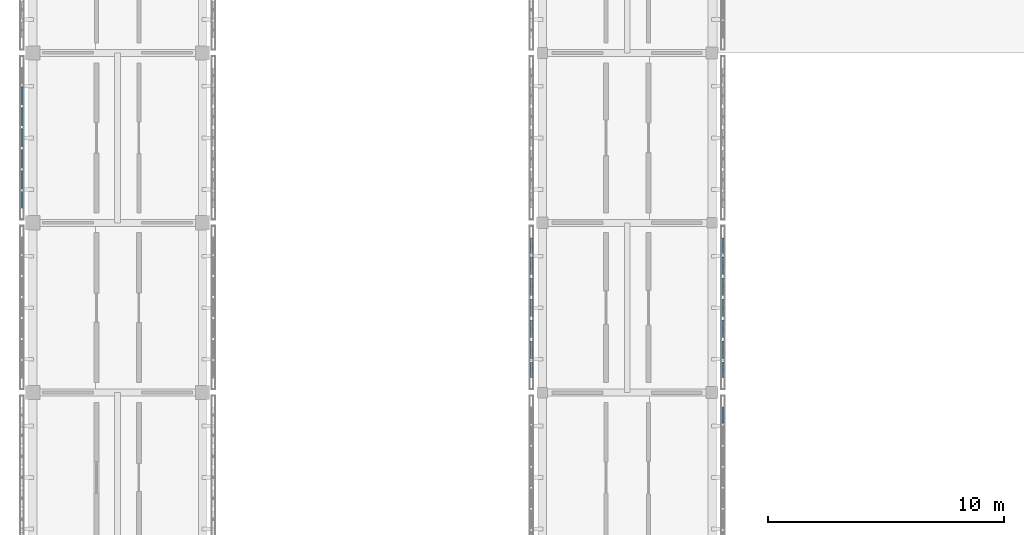
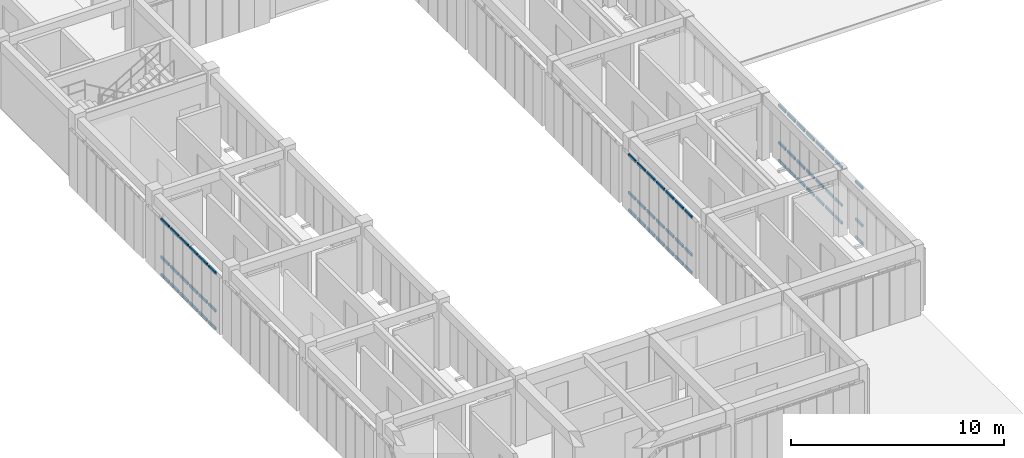
# One storey, part 20 of 67: 63 members, 4 elements without a shape of their own.
"""IFC4 building model written with IfcOpenShell, lengths in metres."""

from ifc_helpers import new_model, si_unit, direction, frame, origin, origin_2d, place, context, subcontext, project, spatial, hollow_rectangle, extrude, material, material_profile, profile_set, type_object, element, aggregate, save


model = new_model("IFC4")

# Units and contexts
model_context = context("Model", 3, precision=1e-05, world=origin(), true_north=direction((0.0, 1.0)))
body_context = subcontext(model_context, "Body", "Model", "MODEL_VIEW")
ifc_project = project(units=[si_unit("LENGTHUNIT", "METRE"), si_unit("AREAUNIT", "SQUARE_METRE"), si_unit("VOLUMEUNIT", "CUBIC_METRE"), si_unit("PLANEANGLEUNIT", "RADIAN"), si_unit("MASSUNIT", "GRAM", prefix="KILO")], contexts=[model_context])

# Site, building, storey
site_placement = place(None, origin())
site = spatial("IfcSite", under=ifc_project, at=site_placement, CompositionType="ELEMENT")
building_placement = place(site_placement, origin())
building = spatial("IfcBuilding", under=site, at=building_placement, Name="Aldebral Square Health Centre", CompositionType="ELEMENT")
storey_placement = place(building_placement, frame((0.0, 0.0, 13.5)))
storey = spatial("IfcBuildingStorey", under=building, at=storey_placement, Name="L03", CompositionType="ELEMENT", Elevation=13.5)

# Curtain wall, members
ifc_material_1 = material(Name="Aluminium and low-E solar glass", Category="aluminium")
curtain_wall_type = type_object("IfcCurtainWallType", Name="CW-FIN-SYS", PredefinedType="USERDEFINED", material=ifc_material_1)
curtain_wall_1_placement = place(storey_placement, origin())
curtain_wall_1 = element("IfcCurtainWall", 1, at=curtain_wall_1_placement, inside=storey, type_object=curtain_wall_type, Name="L03 V4 finned curtain wall L03-V4-00-11-W", ObjectType="SOLAR_CURTAIN_WALL", PredefinedType="USERDEFINED")
ifc_material_2 = material(Name="Anodised aluminium transom", Category="aluminium")
ifc_material_profile = material_profile(ifc_material_2, hollow_rectangle(XDim=0.074951171875, YDim=0.14990234375, WallThickness=0.00390625, at=origin_2d()), Name="CWT 75x150x4")
ifc_profile_set = profile_set([ifc_material_profile], Name="Anodised aluminium transom")
member_type = type_object("IfcMemberType", Name="CWT-STD", PredefinedType="USERDEFINED", material=ifc_profile_set)
member_1_placement = place(storey_placement, frame((-0.4599609375, 84.948486328125, 0.03759765625), z_axis=(0.0, -1.0, 0.0), x_axis=(1.0, 0.0, 0.0)))
member_1 = element("IfcMember", 2, at=member_1_placement, type_object=member_type, Name="CW1 transom 2.1", ObjectType="TRANSOM", PredefinedType="USERDEFINED", context=body_context, shape_type="SweptSolid", body=[
    extrude(hollow_rectangle(XDim=0.074951171875, YDim=0.14990234375, WallThickness=0.00390625, at=origin_2d()), origin(), (0.0, 0.0, 1.0), 0.7314453125),
])
member_2_placement = place(storey_placement, frame((-0.4599609375, 84.948486328125, 1.050048828125), z_axis=(0.0, -1.0, 0.0), x_axis=(1.0, 0.0, 0.0)))
member_2 = element("IfcMember", 3, at=member_2_placement, type_object=member_type, Name="CW1 transom 2.2", ObjectType="TRANSOM", PredefinedType="USERDEFINED", context=body_context, shape_type="SweptSolid", body=[
    extrude(hollow_rectangle(XDim=0.074951171875, YDim=0.14990234375, WallThickness=0.00390625, at=origin_2d()), origin(), (0.0, 0.0, 1.0), 0.7314453125),
])
member_3_placement = place(storey_placement, frame((-0.4599609375, 84.948486328125, 3.202392578125), z_axis=(0.0, -1.0, 0.0), x_axis=(1.0, 0.0, 0.0)))
member_3 = element("IfcMember", 4, at=member_3_placement, type_object=member_type, Name="CW1 transom 2.3", ObjectType="TRANSOM", PredefinedType="USERDEFINED", context=body_context, shape_type="SweptSolid", body=[
    extrude(hollow_rectangle(XDim=0.074951171875, YDim=0.14990234375, WallThickness=0.00390625, at=origin_2d()), origin(), (0.0, 0.0, 1.0), 0.7314453125),
])
member_4_placement = place(storey_placement, frame((-0.4599609375, 84.05712890625, 0.03759765625), z_axis=(0.0, -1.0, 0.0), x_axis=(1.0, 0.0, 0.0)))
member_4 = element("IfcMember", 5, at=member_4_placement, type_object=member_type, Name="CW1 transom 3.1", ObjectType="TRANSOM", PredefinedType="USERDEFINED", context=body_context, shape_type="SweptSolid", body=[
    extrude(hollow_rectangle(XDim=0.074951171875, YDim=0.14990234375, WallThickness=0.00390625, at=origin_2d()), origin(), (0.0, 0.0, 1.0), 0.7314453125),
])
member_5_placement = place(storey_placement, frame((-0.4599609375, 84.05712890625, 1.050048828125), z_axis=(0.0, -1.0, 0.0), x_axis=(1.0, 0.0, 0.0)))
member_5 = element("IfcMember", 6, at=member_5_placement, type_object=member_type, Name="CW1 transom 3.2", ObjectType="TRANSOM", PredefinedType="USERDEFINED", context=body_context, shape_type="SweptSolid", body=[
    extrude(hollow_rectangle(XDim=0.074951171875, YDim=0.14990234375, WallThickness=0.00390625, at=origin_2d()), origin(), (0.0, 0.0, 1.0), 0.7314453125),
])
member_6_placement = place(storey_placement, frame((-0.4599609375, 84.05712890625, 3.202392578125), z_axis=(0.0, -1.0, 0.0), x_axis=(1.0, 0.0, 0.0)))
member_6 = element("IfcMember", 7, at=member_6_placement, type_object=member_type, Name="CW1 transom 3.3", ObjectType="TRANSOM", PredefinedType="USERDEFINED", context=body_context, shape_type="SweptSolid", body=[
    extrude(hollow_rectangle(XDim=0.074951171875, YDim=0.14990234375, WallThickness=0.00390625, at=origin_2d()), origin(), (0.0, 0.0, 1.0), 0.7314453125),
])
member_7_placement = place(storey_placement, frame((-0.4599609375, 83.165771484375, 0.03759765625), z_axis=(0.0, -1.0, 0.0), x_axis=(1.0, 0.0, 0.0)))
member_7 = element("IfcMember", 8, at=member_7_placement, type_object=member_type, Name="CW1 transom 4.1", ObjectType="TRANSOM", PredefinedType="USERDEFINED", context=body_context, shape_type="SweptSolid", body=[
    extrude(hollow_rectangle(XDim=0.074951171875, YDim=0.14990234375, WallThickness=0.00390625, at=origin_2d()), origin(), (0.0, 0.0, 1.0), 0.7314453125),
])
member_8_placement = place(storey_placement, frame((-0.4599609375, 83.165771484375, 1.050048828125), z_axis=(0.0, -1.0, 0.0), x_axis=(1.0, 0.0, 0.0)))
member_8 = element("IfcMember", 9, at=member_8_placement, type_object=member_type, Name="CW1 transom 4.2", ObjectType="TRANSOM", PredefinedType="USERDEFINED", context=body_context, shape_type="SweptSolid", body=[
    extrude(hollow_rectangle(XDim=0.074951171875, YDim=0.14990234375, WallThickness=0.00390625, at=origin_2d()), origin(), (0.0, 0.0, 1.0), 0.7314453125),
])
member_9_placement = place(storey_placement, frame((-0.4599609375, 83.165771484375, 3.202392578125), z_axis=(0.0, -1.0, 0.0), x_axis=(1.0, 0.0, 0.0)))
member_9 = element("IfcMember", 10, at=member_9_placement, type_object=member_type, Name="CW1 transom 4.3", ObjectType="TRANSOM", PredefinedType="USERDEFINED", context=body_context, shape_type="SweptSolid", body=[
    extrude(hollow_rectangle(XDim=0.074951171875, YDim=0.14990234375, WallThickness=0.00390625, at=origin_2d()), origin(), (0.0, 0.0, 1.0), 0.7314453125),
])
member_10_placement = place(storey_placement, frame((-0.4599609375, 82.274169921875, 0.03759765625), z_axis=(0.0, -1.0, 0.0), x_axis=(1.0, 0.0, 0.0)))
member_10 = element("IfcMember", 11, at=member_10_placement, type_object=member_type, Name="CW1 transom 5.1", ObjectType="TRANSOM", PredefinedType="USERDEFINED", context=body_context, shape_type="SweptSolid", body=[
    extrude(hollow_rectangle(XDim=0.074951171875, YDim=0.14990234375, WallThickness=0.00390625, at=origin_2d()), origin(), (0.0, 0.0, 1.0), 0.731201171875),
])
member_11_placement = place(storey_placement, frame((-0.4599609375, 82.274169921875, 1.050048828125), z_axis=(0.0, -1.0, 0.0), x_axis=(1.0, 0.0, 0.0)))
member_11 = element("IfcMember", 12, at=member_11_placement, type_object=member_type, Name="CW1 transom 5.2", ObjectType="TRANSOM", PredefinedType="USERDEFINED", context=body_context, shape_type="SweptSolid", body=[
    extrude(hollow_rectangle(XDim=0.074951171875, YDim=0.14990234375, WallThickness=0.00390625, at=origin_2d()), origin(), (0.0, 0.0, 1.0), 0.731201171875),
])
member_12_placement = place(storey_placement, frame((-0.4599609375, 82.274169921875, 3.202392578125), z_axis=(0.0, -1.0, 0.0), x_axis=(1.0, 0.0, 0.0)))
member_12 = element("IfcMember", 13, at=member_12_placement, type_object=member_type, Name="CW1 transom 5.3", ObjectType="TRANSOM", PredefinedType="USERDEFINED", context=body_context, shape_type="SweptSolid", body=[
    extrude(hollow_rectangle(XDim=0.074951171875, YDim=0.14990234375, WallThickness=0.00390625, at=origin_2d()), origin(), (0.0, 0.0, 1.0), 0.731201171875),
])
member_13_placement = place(storey_placement, frame((-0.4599609375, 81.3828125, 0.03759765625), z_axis=(0.0, -1.0, 0.0), x_axis=(1.0, 0.0, 0.0)))
member_13 = element("IfcMember", 14, at=member_13_placement, type_object=member_type, Name="CW1 transom 6.1", ObjectType="TRANSOM", PredefinedType="USERDEFINED", context=body_context, shape_type="SweptSolid", body=[
    extrude(hollow_rectangle(XDim=0.074951171875, YDim=0.14990234375, WallThickness=0.00390625, at=origin_2d()), origin(), (0.0, 0.0, 1.0), 0.7314453125),
])
member_14_placement = place(storey_placement, frame((-0.4599609375, 81.3828125, 1.050048828125), z_axis=(0.0, -1.0, 0.0), x_axis=(1.0, 0.0, 0.0)))
member_14 = element("IfcMember", 15, at=member_14_placement, type_object=member_type, Name="CW1 transom 6.2", ObjectType="TRANSOM", PredefinedType="USERDEFINED", context=body_context, shape_type="SweptSolid", body=[
    extrude(hollow_rectangle(XDim=0.074951171875, YDim=0.14990234375, WallThickness=0.00390625, at=origin_2d()), origin(), (0.0, 0.0, 1.0), 0.7314453125),
])
member_15_placement = place(storey_placement, frame((-0.4599609375, 81.3828125, 3.202392578125), z_axis=(0.0, -1.0, 0.0), x_axis=(1.0, 0.0, 0.0)))
member_15 = element("IfcMember", 16, at=member_15_placement, type_object=member_type, Name="CW1 transom 6.3", ObjectType="TRANSOM", PredefinedType="USERDEFINED", context=body_context, shape_type="SweptSolid", body=[
    extrude(hollow_rectangle(XDim=0.074951171875, YDim=0.14990234375, WallThickness=0.00390625, at=origin_2d()), origin(), (0.0, 0.0, 1.0), 0.7314453125),
])
member_16_placement = place(storey_placement, frame((-0.4599609375, 80.491455078125, 0.03759765625), z_axis=(0.0, -1.0, 0.0), x_axis=(1.0, 0.0, 0.0)))
member_16 = element("IfcMember", 17, at=member_16_placement, type_object=member_type, Name="CW1 transom 7.1", ObjectType="TRANSOM", PredefinedType="USERDEFINED", context=body_context, shape_type="SweptSolid", body=[
    extrude(hollow_rectangle(XDim=0.074951171875, YDim=0.14990234375, WallThickness=0.00390625, at=origin_2d()), origin(), (0.0, 0.0, 1.0), 0.6513671875),
])
member_17_placement = place(storey_placement, frame((-0.4599609375, 80.491455078125, 1.050048828125), z_axis=(0.0, -1.0, 0.0), x_axis=(1.0, 0.0, 0.0)))
member_17 = element("IfcMember", 18, at=member_17_placement, type_object=member_type, Name="CW1 transom 7.2", ObjectType="TRANSOM", PredefinedType="USERDEFINED", context=body_context, shape_type="SweptSolid", body=[
    extrude(hollow_rectangle(XDim=0.074951171875, YDim=0.14990234375, WallThickness=0.00390625, at=origin_2d()), origin(), (0.0, 0.0, 1.0), 0.6513671875),
])
member_18_placement = place(storey_placement, frame((-0.4599609375, 80.491455078125, 3.202392578125), z_axis=(0.0, -1.0, 0.0), x_axis=(1.0, 0.0, 0.0)))
member_18 = element("IfcMember", 19, at=member_18_placement, type_object=member_type, Name="CW1 transom 7.3", ObjectType="TRANSOM", PredefinedType="USERDEFINED", context=body_context, shape_type="SweptSolid", body=[
    extrude(hollow_rectangle(XDim=0.074951171875, YDim=0.14990234375, WallThickness=0.00390625, at=origin_2d()), origin(), (0.0, 0.0, 1.0), 0.6513671875),
])
aggregate(curtain_wall_1, [member_1, member_2, member_3, member_4, member_5, member_6, member_7, member_8, member_9, member_10, member_11, member_12, member_13, member_14, member_15, member_16, member_17, member_18])

curtain_wall_2_placement = place(storey_placement, origin())
curtain_wall_2 = element("IfcCurtainWall", 20, at=curtain_wall_2_placement, inside=storey, type_object=curtain_wall_type, Name="L03 V4 finned curtain wall L03-V4-03-09-E", ObjectType="SOLAR_CURTAIN_WALL", PredefinedType="USERDEFINED")
member_19_placement = place(storey_placement, frame((29.260009765625, 70.70849609375, 0.03759765625), z_axis=(0.0, 1.0, 0.0), x_axis=(-1.0, 0.0, 0.0)))
member_19 = element("IfcMember", 21, at=member_19_placement, type_object=member_type, Name="CW1 transom 7.1", ObjectType="TRANSOM", PredefinedType="USERDEFINED", context=body_context, shape_type="SweptSolid", body=[
    extrude(hollow_rectangle(XDim=0.074951171875, YDim=0.14990234375, WallThickness=0.00390625, at=origin_2d()), origin(), (0.0, 0.0, 1.0), 0.651611328125),
])
member_20_placement = place(storey_placement, frame((29.260009765625, 70.70849609375, 1.050048828125), z_axis=(0.0, 1.0, 0.0), x_axis=(-1.0, 0.0, 0.0)))
member_20 = element("IfcMember", 22, at=member_20_placement, type_object=member_type, Name="CW1 transom 7.2", ObjectType="TRANSOM", PredefinedType="USERDEFINED", context=body_context, shape_type="SweptSolid", body=[
    extrude(hollow_rectangle(XDim=0.074951171875, YDim=0.14990234375, WallThickness=0.00390625, at=origin_2d()), origin(), (0.0, 0.0, 1.0), 0.651611328125),
])
member_21_placement = place(storey_placement, frame((29.260009765625, 70.70849609375, 3.202392578125), z_axis=(0.0, 1.0, 0.0), x_axis=(-1.0, 0.0, 0.0)))
member_21 = element("IfcMember", 23, at=member_21_placement, type_object=member_type, Name="CW1 transom 7.3", ObjectType="TRANSOM", PredefinedType="USERDEFINED", context=body_context, shape_type="SweptSolid", body=[
    extrude(hollow_rectangle(XDim=0.074951171875, YDim=0.14990234375, WallThickness=0.00390625, at=origin_2d()), origin(), (0.0, 0.0, 1.0), 0.651611328125),
])
aggregate(curtain_wall_2, [member_19, member_20, member_21])

curtain_wall_3_placement = place(storey_placement, origin())
curtain_wall_3 = element("IfcCurtainWall", 24, at=curtain_wall_3_placement, inside=storey, type_object=curtain_wall_type, Name="L03 V4 finned curtain wall L03-V4-03-10-W", ObjectType="SOLAR_CURTAIN_WALL", PredefinedType="USERDEFINED")
member_22_placement = place(storey_placement, frame((21.139892578125, 78.56005859375, 0.03759765625), z_axis=(0.0, -1.0, 0.0), x_axis=(1.0, 0.0, 0.0)))
member_22 = element("IfcMember", 25, at=member_22_placement, type_object=member_type, Name="CW1 transom 1.1", ObjectType="TRANSOM", PredefinedType="USERDEFINED", context=body_context, shape_type="SweptSolid", body=[
    extrude(hollow_rectangle(XDim=0.074951171875, YDim=0.14990234375, WallThickness=0.00390625, at=origin_2d()), origin(), (0.0, 0.0, 1.0), 0.6513671875),
])
member_23_placement = place(storey_placement, frame((21.139892578125, 78.56005859375, 1.050048828125), z_axis=(0.0, -1.0, 0.0), x_axis=(1.0, 0.0, 0.0)))
member_23 = element("IfcMember", 26, at=member_23_placement, type_object=member_type, Name="CW1 transom 1.2", ObjectType="TRANSOM", PredefinedType="USERDEFINED", context=body_context, shape_type="SweptSolid", body=[
    extrude(hollow_rectangle(XDim=0.074951171875, YDim=0.14990234375, WallThickness=0.00390625, at=origin_2d()), origin(), (0.0, 0.0, 1.0), 0.6513671875),
])
member_24_placement = place(storey_placement, frame((21.139892578125, 78.56005859375, 3.202392578125), z_axis=(0.0, -1.0, 0.0), x_axis=(1.0, 0.0, 0.0)))
member_24 = element("IfcMember", 27, at=member_24_placement, type_object=member_type, Name="CW1 transom 1.3", ObjectType="TRANSOM", PredefinedType="USERDEFINED", context=body_context, shape_type="SweptSolid", body=[
    extrude(hollow_rectangle(XDim=0.074951171875, YDim=0.14990234375, WallThickness=0.00390625, at=origin_2d()), origin(), (0.0, 0.0, 1.0), 0.6513671875),
])
member_25_placement = place(storey_placement, frame((21.139892578125, 77.74853515625, 0.03759765625), z_axis=(0.0, -1.0, 0.0), x_axis=(1.0, 0.0, 0.0)))
member_25 = element("IfcMember", 28, at=member_25_placement, type_object=member_type, Name="CW1 transom 2.1", ObjectType="TRANSOM", PredefinedType="USERDEFINED", context=body_context, shape_type="SweptSolid", body=[
    extrude(hollow_rectangle(XDim=0.074951171875, YDim=0.14990234375, WallThickness=0.00390625, at=origin_2d()), origin(), (0.0, 0.0, 1.0), 0.7314453125),
])
member_26_placement = place(storey_placement, frame((21.139892578125, 77.74853515625, 1.050048828125), z_axis=(0.0, -1.0, 0.0), x_axis=(1.0, 0.0, 0.0)))
member_26 = element("IfcMember", 29, at=member_26_placement, type_object=member_type, Name="CW1 transom 2.2", ObjectType="TRANSOM", PredefinedType="USERDEFINED", context=body_context, shape_type="SweptSolid", body=[
    extrude(hollow_rectangle(XDim=0.074951171875, YDim=0.14990234375, WallThickness=0.00390625, at=origin_2d()), origin(), (0.0, 0.0, 1.0), 0.7314453125),
])
member_27_placement = place(storey_placement, frame((21.139892578125, 77.74853515625, 3.202392578125), z_axis=(0.0, -1.0, 0.0), x_axis=(1.0, 0.0, 0.0)))
member_27 = element("IfcMember", 30, at=member_27_placement, type_object=member_type, Name="CW1 transom 2.3", ObjectType="TRANSOM", PredefinedType="USERDEFINED", context=body_context, shape_type="SweptSolid", body=[
    extrude(hollow_rectangle(XDim=0.074951171875, YDim=0.14990234375, WallThickness=0.00390625, at=origin_2d()), origin(), (0.0, 0.0, 1.0), 0.7314453125),
])
member_28_placement = place(storey_placement, frame((21.139892578125, 76.857177734375, 0.03759765625), z_axis=(0.0, -1.0, 0.0), x_axis=(1.0, 0.0, 0.0)))
member_28 = element("IfcMember", 31, at=member_28_placement, type_object=member_type, Name="CW1 transom 3.1", ObjectType="TRANSOM", PredefinedType="USERDEFINED", context=body_context, shape_type="SweptSolid", body=[
    extrude(hollow_rectangle(XDim=0.074951171875, YDim=0.14990234375, WallThickness=0.00390625, at=origin_2d()), origin(), (0.0, 0.0, 1.0), 0.7314453125),
])
member_29_placement = place(storey_placement, frame((21.139892578125, 76.857177734375, 1.050048828125), z_axis=(0.0, -1.0, 0.0), x_axis=(1.0, 0.0, 0.0)))
member_29 = element("IfcMember", 32, at=member_29_placement, type_object=member_type, Name="CW1 transom 3.2", ObjectType="TRANSOM", PredefinedType="USERDEFINED", context=body_context, shape_type="SweptSolid", body=[
    extrude(hollow_rectangle(XDim=0.074951171875, YDim=0.14990234375, WallThickness=0.00390625, at=origin_2d()), origin(), (0.0, 0.0, 1.0), 0.7314453125),
])
member_30_placement = place(storey_placement, frame((21.139892578125, 76.857177734375, 3.202392578125), z_axis=(0.0, -1.0, 0.0), x_axis=(1.0, 0.0, 0.0)))
member_30 = element("IfcMember", 33, at=member_30_placement, type_object=member_type, Name="CW1 transom 3.3", ObjectType="TRANSOM", PredefinedType="USERDEFINED", context=body_context, shape_type="SweptSolid", body=[
    extrude(hollow_rectangle(XDim=0.074951171875, YDim=0.14990234375, WallThickness=0.00390625, at=origin_2d()), origin(), (0.0, 0.0, 1.0), 0.7314453125),
])
member_31_placement = place(storey_placement, frame((21.139892578125, 75.9658203125, 0.03759765625), z_axis=(0.0, -1.0, 0.0), x_axis=(1.0, 0.0, 0.0)))
member_31 = element("IfcMember", 34, at=member_31_placement, type_object=member_type, Name="CW1 transom 4.1", ObjectType="TRANSOM", PredefinedType="USERDEFINED", context=body_context, shape_type="SweptSolid", body=[
    extrude(hollow_rectangle(XDim=0.074951171875, YDim=0.14990234375, WallThickness=0.00390625, at=origin_2d()), origin(), (0.0, 0.0, 1.0), 0.7314453125),
])
member_32_placement = place(storey_placement, frame((21.139892578125, 75.9658203125, 1.050048828125), z_axis=(0.0, -1.0, 0.0), x_axis=(1.0, 0.0, 0.0)))
member_32 = element("IfcMember", 35, at=member_32_placement, type_object=member_type, Name="CW1 transom 4.2", ObjectType="TRANSOM", PredefinedType="USERDEFINED", context=body_context, shape_type="SweptSolid", body=[
    extrude(hollow_rectangle(XDim=0.074951171875, YDim=0.14990234375, WallThickness=0.00390625, at=origin_2d()), origin(), (0.0, 0.0, 1.0), 0.7314453125),
])
member_33_placement = place(storey_placement, frame((21.139892578125, 75.9658203125, 3.202392578125), z_axis=(0.0, -1.0, 0.0), x_axis=(1.0, 0.0, 0.0)))
member_33 = element("IfcMember", 36, at=member_33_placement, type_object=member_type, Name="CW1 transom 4.3", ObjectType="TRANSOM", PredefinedType="USERDEFINED", context=body_context, shape_type="SweptSolid", body=[
    extrude(hollow_rectangle(XDim=0.074951171875, YDim=0.14990234375, WallThickness=0.00390625, at=origin_2d()), origin(), (0.0, 0.0, 1.0), 0.7314453125),
])
member_34_placement = place(storey_placement, frame((21.139892578125, 75.07421875, 0.03759765625), z_axis=(0.0, -1.0, 0.0), x_axis=(1.0, 0.0, 0.0)))
member_34 = element("IfcMember", 37, at=member_34_placement, type_object=member_type, Name="CW1 transom 5.1", ObjectType="TRANSOM", PredefinedType="USERDEFINED", context=body_context, shape_type="SweptSolid", body=[
    extrude(hollow_rectangle(XDim=0.074951171875, YDim=0.14990234375, WallThickness=0.00390625, at=origin_2d()), origin(), (0.0, 0.0, 1.0), 0.7314453125),
])
member_35_placement = place(storey_placement, frame((21.139892578125, 75.07421875, 1.050048828125), z_axis=(0.0, -1.0, 0.0), x_axis=(1.0, 0.0, 0.0)))
member_35 = element("IfcMember", 38, at=member_35_placement, type_object=member_type, Name="CW1 transom 5.2", ObjectType="TRANSOM", PredefinedType="USERDEFINED", context=body_context, shape_type="SweptSolid", body=[
    extrude(hollow_rectangle(XDim=0.074951171875, YDim=0.14990234375, WallThickness=0.00390625, at=origin_2d()), origin(), (0.0, 0.0, 1.0), 0.7314453125),
])
member_36_placement = place(storey_placement, frame((21.139892578125, 75.07421875, 3.202392578125), z_axis=(0.0, -1.0, 0.0), x_axis=(1.0, 0.0, 0.0)))
member_36 = element("IfcMember", 39, at=member_36_placement, type_object=member_type, Name="CW1 transom 5.3", ObjectType="TRANSOM", PredefinedType="USERDEFINED", context=body_context, shape_type="SweptSolid", body=[
    extrude(hollow_rectangle(XDim=0.074951171875, YDim=0.14990234375, WallThickness=0.00390625, at=origin_2d()), origin(), (0.0, 0.0, 1.0), 0.7314453125),
])
member_37_placement = place(storey_placement, frame((21.139892578125, 74.182861328125, 0.03759765625), z_axis=(0.0, -1.0, 0.0), x_axis=(1.0, 0.0, 0.0)))
member_37 = element("IfcMember", 40, at=member_37_placement, type_object=member_type, Name="CW1 transom 6.1", ObjectType="TRANSOM", PredefinedType="USERDEFINED", context=body_context, shape_type="SweptSolid", body=[
    extrude(hollow_rectangle(XDim=0.074951171875, YDim=0.14990234375, WallThickness=0.00390625, at=origin_2d()), origin(), (0.0, 0.0, 1.0), 0.7314453125),
])
member_38_placement = place(storey_placement, frame((21.139892578125, 74.182861328125, 1.050048828125), z_axis=(0.0, -1.0, 0.0), x_axis=(1.0, 0.0, 0.0)))
member_38 = element("IfcMember", 41, at=member_38_placement, type_object=member_type, Name="CW1 transom 6.2", ObjectType="TRANSOM", PredefinedType="USERDEFINED", context=body_context, shape_type="SweptSolid", body=[
    extrude(hollow_rectangle(XDim=0.074951171875, YDim=0.14990234375, WallThickness=0.00390625, at=origin_2d()), origin(), (0.0, 0.0, 1.0), 0.7314453125),
])
member_39_placement = place(storey_placement, frame((21.139892578125, 74.182861328125, 3.202392578125), z_axis=(0.0, -1.0, 0.0), x_axis=(1.0, 0.0, 0.0)))
member_39 = element("IfcMember", 42, at=member_39_placement, type_object=member_type, Name="CW1 transom 6.3", ObjectType="TRANSOM", PredefinedType="USERDEFINED", context=body_context, shape_type="SweptSolid", body=[
    extrude(hollow_rectangle(XDim=0.074951171875, YDim=0.14990234375, WallThickness=0.00390625, at=origin_2d()), origin(), (0.0, 0.0, 1.0), 0.7314453125),
])
member_40_placement = place(storey_placement, frame((21.139892578125, 73.29150390625, 0.03759765625), z_axis=(0.0, -1.0, 0.0), x_axis=(1.0, 0.0, 0.0)))
member_40 = element("IfcMember", 43, at=member_40_placement, type_object=member_type, Name="CW1 transom 7.1", ObjectType="TRANSOM", PredefinedType="USERDEFINED", context=body_context, shape_type="SweptSolid", body=[
    extrude(hollow_rectangle(XDim=0.074951171875, YDim=0.14990234375, WallThickness=0.00390625, at=origin_2d()), origin(), (0.0, 0.0, 1.0), 0.651611328125),
])
member_41_placement = place(storey_placement, frame((21.139892578125, 73.29150390625, 1.050048828125), z_axis=(0.0, -1.0, 0.0), x_axis=(1.0, 0.0, 0.0)))
member_41 = element("IfcMember", 44, at=member_41_placement, type_object=member_type, Name="CW1 transom 7.2", ObjectType="TRANSOM", PredefinedType="USERDEFINED", context=body_context, shape_type="SweptSolid", body=[
    extrude(hollow_rectangle(XDim=0.074951171875, YDim=0.14990234375, WallThickness=0.00390625, at=origin_2d()), origin(), (0.0, 0.0, 1.0), 0.651611328125),
])
member_42_placement = place(storey_placement, frame((21.139892578125, 73.29150390625, 3.202392578125), z_axis=(0.0, -1.0, 0.0), x_axis=(1.0, 0.0, 0.0)))
member_42 = element("IfcMember", 45, at=member_42_placement, type_object=member_type, Name="CW1 transom 7.3", ObjectType="TRANSOM", PredefinedType="USERDEFINED", context=body_context, shape_type="SweptSolid", body=[
    extrude(hollow_rectangle(XDim=0.074951171875, YDim=0.14990234375, WallThickness=0.00390625, at=origin_2d()), origin(), (0.0, 0.0, 1.0), 0.651611328125),
])
aggregate(curtain_wall_3, [member_22, member_23, member_24, member_25, member_26, member_27, member_28, member_29, member_30, member_31, member_32, member_33, member_34, member_35, member_36, member_37, member_38, member_39, member_40, member_41, member_42])

curtain_wall_4_placement = place(storey_placement, origin())
curtain_wall_4 = element("IfcCurtainWall", 46, at=curtain_wall_4_placement, inside=storey, type_object=curtain_wall_type, Name="L03 V4 finned curtain wall L03-V4-03-10-E", ObjectType="SOLAR_CURTAIN_WALL", PredefinedType="USERDEFINED")
member_43_placement = place(storey_placement, frame((29.260009765625, 72.639892578125, 0.03759765625), z_axis=(0.0, 1.0, 0.0), x_axis=(-1.0, 0.0, 0.0)))
member_43 = element("IfcMember", 47, at=member_43_placement, type_object=member_type, Name="CW1 transom 1.1", ObjectType="TRANSOM", PredefinedType="USERDEFINED", context=body_context, shape_type="SweptSolid", body=[
    extrude(hollow_rectangle(XDim=0.074951171875, YDim=0.14990234375, WallThickness=0.00390625, at=origin_2d()), origin(), (0.0, 0.0, 1.0), 0.651611328125),
])
member_44_placement = place(storey_placement, frame((29.260009765625, 72.639892578125, 1.050048828125), z_axis=(0.0, 1.0, 0.0), x_axis=(-1.0, 0.0, 0.0)))
member_44 = element("IfcMember", 48, at=member_44_placement, type_object=member_type, Name="CW1 transom 1.2", ObjectType="TRANSOM", PredefinedType="USERDEFINED", context=body_context, shape_type="SweptSolid", body=[
    extrude(hollow_rectangle(XDim=0.074951171875, YDim=0.14990234375, WallThickness=0.00390625, at=origin_2d()), origin(), (0.0, 0.0, 1.0), 0.651611328125),
])
member_45_placement = place(storey_placement, frame((29.260009765625, 72.639892578125, 3.202392578125), z_axis=(0.0, 1.0, 0.0), x_axis=(-1.0, 0.0, 0.0)))
member_45 = element("IfcMember", 49, at=member_45_placement, type_object=member_type, Name="CW1 transom 1.3", ObjectType="TRANSOM", PredefinedType="USERDEFINED", context=body_context, shape_type="SweptSolid", body=[
    extrude(hollow_rectangle(XDim=0.074951171875, YDim=0.14990234375, WallThickness=0.00390625, at=origin_2d()), origin(), (0.0, 0.0, 1.0), 0.651611328125),
])
member_46_placement = place(storey_placement, frame((29.260009765625, 73.451416015625, 0.03759765625), z_axis=(0.0, 1.0, 0.0), x_axis=(-1.0, 0.0, 0.0)))
member_46 = element("IfcMember", 50, at=member_46_placement, type_object=member_type, Name="CW1 transom 2.1", ObjectType="TRANSOM", PredefinedType="USERDEFINED", context=body_context, shape_type="SweptSolid", body=[
    extrude(hollow_rectangle(XDim=0.074951171875, YDim=0.14990234375, WallThickness=0.00390625, at=origin_2d()), origin(), (0.0, 0.0, 1.0), 0.7314453125),
])
member_47_placement = place(storey_placement, frame((29.260009765625, 73.451416015625, 1.050048828125), z_axis=(0.0, 1.0, 0.0), x_axis=(-1.0, 0.0, 0.0)))
member_47 = element("IfcMember", 51, at=member_47_placement, type_object=member_type, Name="CW1 transom 2.2", ObjectType="TRANSOM", PredefinedType="USERDEFINED", context=body_context, shape_type="SweptSolid", body=[
    extrude(hollow_rectangle(XDim=0.074951171875, YDim=0.14990234375, WallThickness=0.00390625, at=origin_2d()), origin(), (0.0, 0.0, 1.0), 0.7314453125),
])
member_48_placement = place(storey_placement, frame((29.260009765625, 73.451416015625, 3.202392578125), z_axis=(0.0, 1.0, 0.0), x_axis=(-1.0, 0.0, 0.0)))
member_48 = element("IfcMember", 52, at=member_48_placement, type_object=member_type, Name="CW1 transom 2.3", ObjectType="TRANSOM", PredefinedType="USERDEFINED", context=body_context, shape_type="SweptSolid", body=[
    extrude(hollow_rectangle(XDim=0.074951171875, YDim=0.14990234375, WallThickness=0.00390625, at=origin_2d()), origin(), (0.0, 0.0, 1.0), 0.7314453125),
])
member_49_placement = place(storey_placement, frame((29.260009765625, 74.3427734375, 0.03759765625), z_axis=(0.0, 1.0, 0.0), x_axis=(-1.0, 0.0, 0.0)))
member_49 = element("IfcMember", 53, at=member_49_placement, type_object=member_type, Name="CW1 transom 3.1", ObjectType="TRANSOM", PredefinedType="USERDEFINED", context=body_context, shape_type="SweptSolid", body=[
    extrude(hollow_rectangle(XDim=0.074951171875, YDim=0.14990234375, WallThickness=0.00390625, at=origin_2d()), origin(), (0.0, 0.0, 1.0), 0.7314453125),
])
member_50_placement = place(storey_placement, frame((29.260009765625, 74.3427734375, 1.050048828125), z_axis=(0.0, 1.0, 0.0), x_axis=(-1.0, 0.0, 0.0)))
member_50 = element("IfcMember", 54, at=member_50_placement, type_object=member_type, Name="CW1 transom 3.2", ObjectType="TRANSOM", PredefinedType="USERDEFINED", context=body_context, shape_type="SweptSolid", body=[
    extrude(hollow_rectangle(XDim=0.074951171875, YDim=0.14990234375, WallThickness=0.00390625, at=origin_2d()), origin(), (0.0, 0.0, 1.0), 0.7314453125),
])
member_51_placement = place(storey_placement, frame((29.260009765625, 74.3427734375, 3.202392578125), z_axis=(0.0, 1.0, 0.0), x_axis=(-1.0, 0.0, 0.0)))
member_51 = element("IfcMember", 55, at=member_51_placement, type_object=member_type, Name="CW1 transom 3.3", ObjectType="TRANSOM", PredefinedType="USERDEFINED", context=body_context, shape_type="SweptSolid", body=[
    extrude(hollow_rectangle(XDim=0.074951171875, YDim=0.14990234375, WallThickness=0.00390625, at=origin_2d()), origin(), (0.0, 0.0, 1.0), 0.7314453125),
])
member_52_placement = place(storey_placement, frame((29.260009765625, 75.234375, 0.03759765625), z_axis=(0.0, 1.0, 0.0), x_axis=(-1.0, 0.0, 0.0)))
member_52 = element("IfcMember", 56, at=member_52_placement, type_object=member_type, Name="CW1 transom 4.1", ObjectType="TRANSOM", PredefinedType="USERDEFINED", context=body_context, shape_type="SweptSolid", body=[
    extrude(hollow_rectangle(XDim=0.074951171875, YDim=0.14990234375, WallThickness=0.00390625, at=origin_2d()), origin(), (0.0, 0.0, 1.0), 0.7314453125),
])
member_53_placement = place(storey_placement, frame((29.260009765625, 75.234375, 1.050048828125), z_axis=(0.0, 1.0, 0.0), x_axis=(-1.0, 0.0, 0.0)))
member_53 = element("IfcMember", 57, at=member_53_placement, type_object=member_type, Name="CW1 transom 4.2", ObjectType="TRANSOM", PredefinedType="USERDEFINED", context=body_context, shape_type="SweptSolid", body=[
    extrude(hollow_rectangle(XDim=0.074951171875, YDim=0.14990234375, WallThickness=0.00390625, at=origin_2d()), origin(), (0.0, 0.0, 1.0), 0.7314453125),
])
member_54_placement = place(storey_placement, frame((29.260009765625, 75.234375, 3.202392578125), z_axis=(0.0, 1.0, 0.0), x_axis=(-1.0, 0.0, 0.0)))
member_54 = element("IfcMember", 58, at=member_54_placement, type_object=member_type, Name="CW1 transom 4.3", ObjectType="TRANSOM", PredefinedType="USERDEFINED", context=body_context, shape_type="SweptSolid", body=[
    extrude(hollow_rectangle(XDim=0.074951171875, YDim=0.14990234375, WallThickness=0.00390625, at=origin_2d()), origin(), (0.0, 0.0, 1.0), 0.7314453125),
])
member_55_placement = place(storey_placement, frame((29.260009765625, 76.125732421875, 0.03759765625), z_axis=(0.0, 1.0, 0.0), x_axis=(-1.0, 0.0, 0.0)))
member_55 = element("IfcMember", 59, at=member_55_placement, type_object=member_type, Name="CW1 transom 5.1", ObjectType="TRANSOM", PredefinedType="USERDEFINED", context=body_context, shape_type="SweptSolid", body=[
    extrude(hollow_rectangle(XDim=0.074951171875, YDim=0.14990234375, WallThickness=0.00390625, at=origin_2d()), origin(), (0.0, 0.0, 1.0), 0.7314453125),
])
member_56_placement = place(storey_placement, frame((29.260009765625, 76.125732421875, 1.050048828125), z_axis=(0.0, 1.0, 0.0), x_axis=(-1.0, 0.0, 0.0)))
member_56 = element("IfcMember", 60, at=member_56_placement, type_object=member_type, Name="CW1 transom 5.2", ObjectType="TRANSOM", PredefinedType="USERDEFINED", context=body_context, shape_type="SweptSolid", body=[
    extrude(hollow_rectangle(XDim=0.074951171875, YDim=0.14990234375, WallThickness=0.00390625, at=origin_2d()), origin(), (0.0, 0.0, 1.0), 0.7314453125),
])
member_57_placement = place(storey_placement, frame((29.260009765625, 76.125732421875, 3.202392578125), z_axis=(0.0, 1.0, 0.0), x_axis=(-1.0, 0.0, 0.0)))
member_57 = element("IfcMember", 61, at=member_57_placement, type_object=member_type, Name="CW1 transom 5.3", ObjectType="TRANSOM", PredefinedType="USERDEFINED", context=body_context, shape_type="SweptSolid", body=[
    extrude(hollow_rectangle(XDim=0.074951171875, YDim=0.14990234375, WallThickness=0.00390625, at=origin_2d()), origin(), (0.0, 0.0, 1.0), 0.7314453125),
])
member_58_placement = place(storey_placement, frame((29.260009765625, 77.01708984375, 0.03759765625), z_axis=(0.0, 1.0, 0.0), x_axis=(-1.0, 0.0, 0.0)))
member_58 = element("IfcMember", 62, at=member_58_placement, type_object=member_type, Name="CW1 transom 6.1", ObjectType="TRANSOM", PredefinedType="USERDEFINED", context=body_context, shape_type="SweptSolid", body=[
    extrude(hollow_rectangle(XDim=0.074951171875, YDim=0.14990234375, WallThickness=0.00390625, at=origin_2d()), origin(), (0.0, 0.0, 1.0), 0.7314453125),
])
member_59_placement = place(storey_placement, frame((29.260009765625, 77.01708984375, 1.050048828125), z_axis=(0.0, 1.0, 0.0), x_axis=(-1.0, 0.0, 0.0)))
member_59 = element("IfcMember", 63, at=member_59_placement, type_object=member_type, Name="CW1 transom 6.2", ObjectType="TRANSOM", PredefinedType="USERDEFINED", context=body_context, shape_type="SweptSolid", body=[
    extrude(hollow_rectangle(XDim=0.074951171875, YDim=0.14990234375, WallThickness=0.00390625, at=origin_2d()), origin(), (0.0, 0.0, 1.0), 0.7314453125),
])
member_60_placement = place(storey_placement, frame((29.260009765625, 77.01708984375, 3.202392578125), z_axis=(0.0, 1.0, 0.0), x_axis=(-1.0, 0.0, 0.0)))
member_60 = element("IfcMember", 64, at=member_60_placement, type_object=member_type, Name="CW1 transom 6.3", ObjectType="TRANSOM", PredefinedType="USERDEFINED", context=body_context, shape_type="SweptSolid", body=[
    extrude(hollow_rectangle(XDim=0.074951171875, YDim=0.14990234375, WallThickness=0.00390625, at=origin_2d()), origin(), (0.0, 0.0, 1.0), 0.7314453125),
])
member_61_placement = place(storey_placement, frame((29.260009765625, 77.90869140625, 0.03759765625), z_axis=(0.0, 1.0, 0.0), x_axis=(-1.0, 0.0, 0.0)))
member_61 = element("IfcMember", 65, at=member_61_placement, type_object=member_type, Name="CW1 transom 7.1", ObjectType="TRANSOM", PredefinedType="USERDEFINED", context=body_context, shape_type="SweptSolid", body=[
    extrude(hollow_rectangle(XDim=0.074951171875, YDim=0.14990234375, WallThickness=0.00390625, at=origin_2d()), origin(), (0.0, 0.0, 1.0), 0.6513671875),
])
member_62_placement = place(storey_placement, frame((29.260009765625, 77.90869140625, 1.050048828125), z_axis=(0.0, 1.0, 0.0), x_axis=(-1.0, 0.0, 0.0)))
member_62 = element("IfcMember", 66, at=member_62_placement, type_object=member_type, Name="CW1 transom 7.2", ObjectType="TRANSOM", PredefinedType="USERDEFINED", context=body_context, shape_type="SweptSolid", body=[
    extrude(hollow_rectangle(XDim=0.074951171875, YDim=0.14990234375, WallThickness=0.00390625, at=origin_2d()), origin(), (0.0, 0.0, 1.0), 0.6513671875),
])
member_63_placement = place(storey_placement, frame((29.260009765625, 77.90869140625, 3.202392578125), z_axis=(0.0, 1.0, 0.0), x_axis=(-1.0, 0.0, 0.0)))
member_63 = element("IfcMember", 67, at=member_63_placement, type_object=member_type, Name="CW1 transom 7.3", ObjectType="TRANSOM", PredefinedType="USERDEFINED", context=body_context, shape_type="SweptSolid", body=[
    extrude(hollow_rectangle(XDim=0.074951171875, YDim=0.14990234375, WallThickness=0.00390625, at=origin_2d()), origin(), (0.0, 0.0, 1.0), 0.6513671875),
])
aggregate(curtain_wall_4, [member_43, member_44, member_45, member_46, member_47, member_48, member_49, member_50, member_51, member_52, member_53, member_54, member_55, member_56, member_57, member_58, member_59, member_60, member_61, member_62, member_63])

save(model, "model.ifc")
